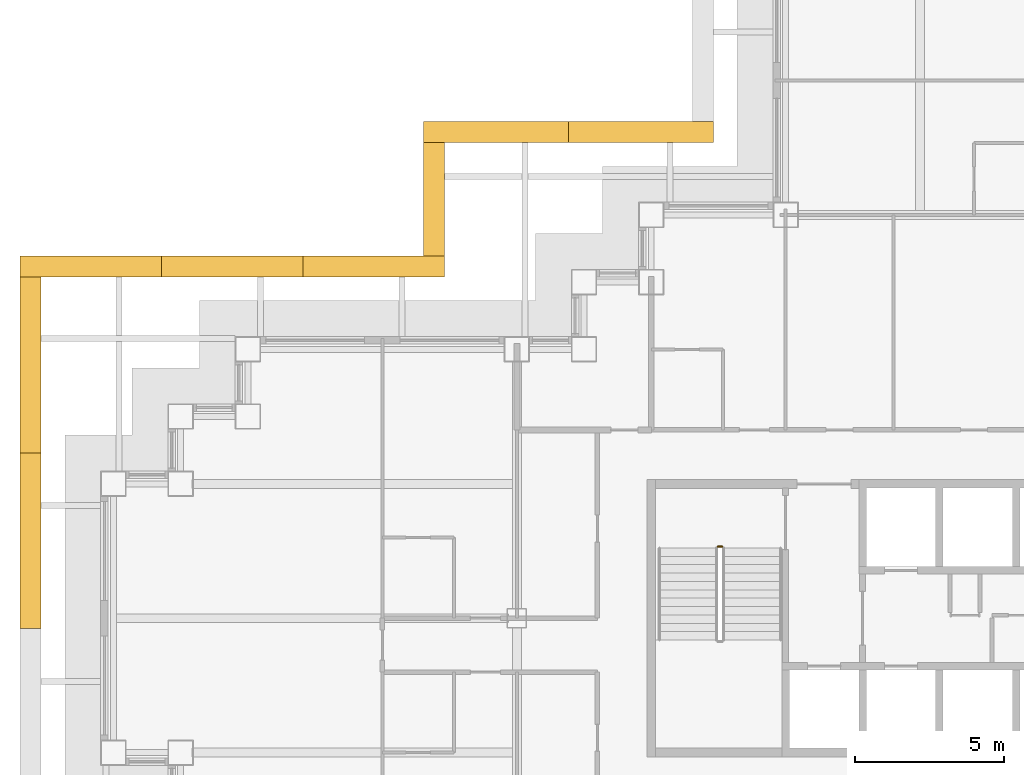
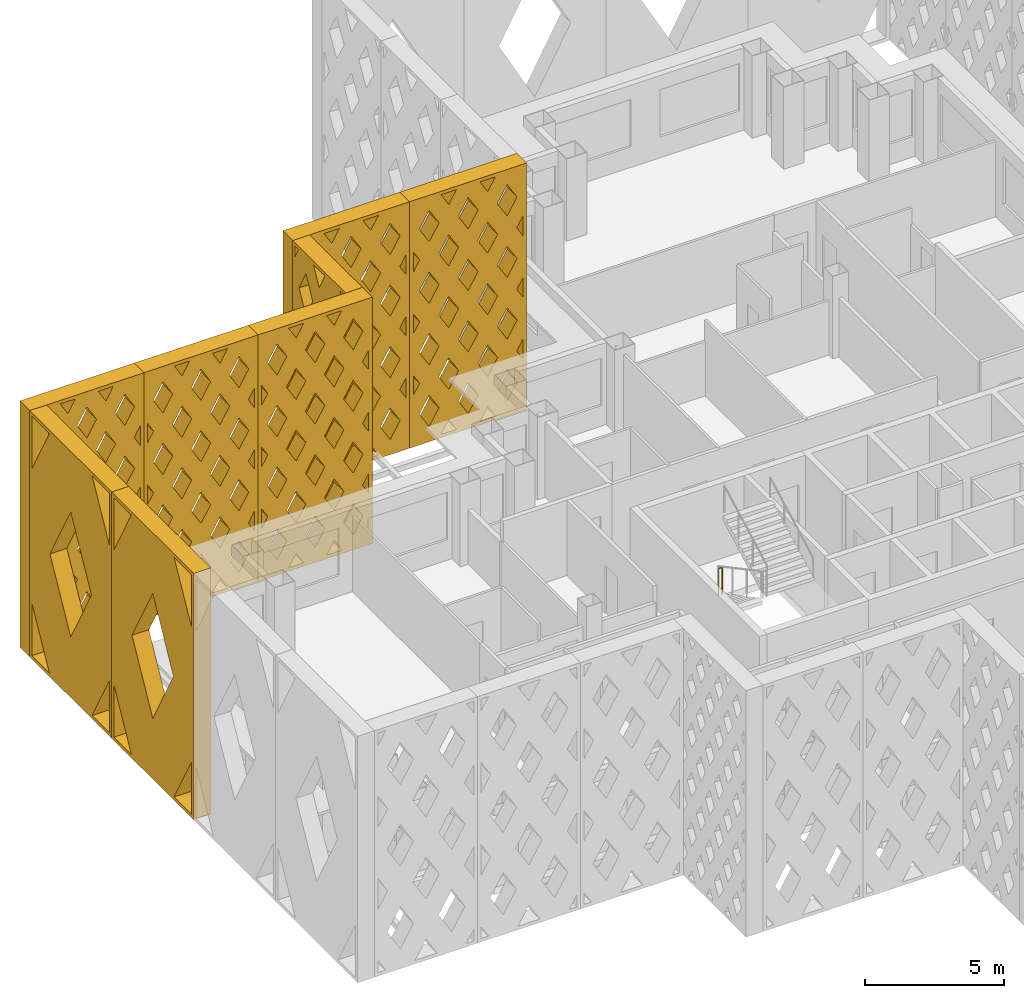
# One storey, part 19 of 21: 8 shading devices, 1 railing.
"""IFC4 building model written with IfcOpenShell, lengths in metres."""

from ifc_helpers import new_model, si_unit, direction, frame, origin, origin_2d, place, context, subcontext, project, spatial, polyline, circle, outline, extrude, material, type_object, element, save


model = new_model("IFC4")

# Units and contexts
model_context = context("Model", 3, precision=1e-05, world=origin(), true_north=direction((0.0, 1.0)))
body_context = subcontext(model_context, "Body", "Model", "MODEL_VIEW")
ifc_project = project(units=[si_unit("LENGTHUNIT", "METRE"), si_unit("AREAUNIT", "SQUARE_METRE"), si_unit("VOLUMEUNIT", "CUBIC_METRE"), si_unit("PLANEANGLEUNIT", "RADIAN"), si_unit("MASSUNIT", "GRAM", prefix="KILO")], contexts=[model_context])

# Site, building, storey
site_placement = place(None, origin())
site = spatial("IfcSite", under=ifc_project, at=site_placement, CompositionType="ELEMENT")
building_placement = place(site_placement, origin())
building = spatial("IfcBuilding", under=site, at=building_placement, Name="Caravel Reach Hotel and Residences", CompositionType="ELEMENT")
storey_placement = place(building_placement, frame((0.0, 0.0, 129.60009765625)))
storey = spatial("IfcBuildingStorey", under=building, at=storey_placement, Name="L32", CompositionType="ELEMENT", Elevation=129.60009765625)

# Shading devices
ifc_material_1 = material(Name="Black powder-coated aluminium", Category="aluminium")
shading_device_type_1 = type_object("IfcShadingDeviceType", Name="Diamond lattice screen panel 3800 x 10800", PredefinedType="USERDEFINED", material=ifc_material_1)
shading_device_1_placement = place(storey_placement, frame((11.074951171875, 42.925048828125, 0.0), z_axis=(-1.0, 0.0, 0.0), x_axis=(0.0, -1.0, 0.0)))
element("IfcShadingDevice", 1, at=shading_device_1_placement, inside=storey, type_object=shading_device_type_1, Name="Lattice screen L32-L34 15.1", ObjectType="SCREEN", PredefinedType="USERDEFINED", context=body_context, shape_type="SweptSolid", body=[
    extrude(outline(polyline([(0.0, 0.0), (3.800048828125, 0.0), (3.800048828125, 10.800048828125), (0.0, 10.800048828125), (0.0, 0.0)]), holes=[polyline([(0.41015625, 0.14990234375), (0.14990234375, 0.64306640625), (0.14990234375, 0.14990234375), (0.41015625, 0.14990234375)]), polyline([(0.489501953125, 3.60009765625), (0.14990234375, 4.2431640625), (0.14990234375, 2.956787109375), (0.489501953125, 3.60009765625)]), polyline([(0.489501953125, 7.199951171875), (0.14990234375, 7.843017578125), (0.14990234375, 6.556884765625), (0.489501953125, 7.199951171875)]), polyline([(0.14990234375, 10.156982421875), (0.41015625, 10.64990234375), (0.14990234375, 10.64990234375), (0.14990234375, 10.156982421875)]), polyline([(0.949951171875, 2.727294921875), (0.460693359375, 1.800048828125), (0.949951171875, 0.872802734375), (1.439453125, 1.800048828125), (0.949951171875, 2.727294921875)]), polyline([(0.949951171875, 6.327392578125), (0.460693359375, 5.39990234375), (0.949951171875, 4.47265625), (1.439453125, 5.39990234375), (0.949951171875, 6.327392578125)]), polyline([(0.949951171875, 9.92724609375), (0.460693359375, 9.0), (0.949951171875, 8.07275390625), (1.439453125, 9.0), (0.949951171875, 9.92724609375)]), polyline([(1.89990234375, 0.92724609375), (1.48974609375, 0.14990234375), (2.310302734375, 0.14990234375), (1.89990234375, 0.92724609375)]), polyline([(1.89990234375, 4.52734375), (1.41064453125, 3.60009765625), (1.89990234375, 2.672607421875), (2.389404296875, 3.60009765625), (1.89990234375, 4.52734375)]), polyline([(1.89990234375, 8.127197265625), (1.41064453125, 7.199951171875), (1.89990234375, 6.272705078125), (2.389404296875, 7.199951171875), (1.89990234375, 8.127197265625)]), polyline([(1.89990234375, 9.872802734375), (2.310302734375, 10.64990234375), (1.48974609375, 10.64990234375), (1.89990234375, 9.872802734375)]), polyline([(2.85009765625, 2.727294921875), (2.360595703125, 1.800048828125), (2.85009765625, 0.872802734375), (3.33935546875, 1.800048828125), (2.85009765625, 2.727294921875)]), polyline([(2.85009765625, 6.327392578125), (2.360595703125, 5.39990234375), (2.85009765625, 4.47265625), (3.33935546875, 5.39990234375), (2.85009765625, 6.327392578125)]), polyline([(2.85009765625, 9.92724609375), (2.360595703125, 9.0), (2.85009765625, 8.07275390625), (3.33935546875, 9.0), (2.85009765625, 9.92724609375)]), polyline([(3.64990234375, 0.64306640625), (3.3896484375, 0.14990234375), (3.64990234375, 0.14990234375), (3.64990234375, 0.64306640625)]), polyline([(3.310546875, 3.60009765625), (3.64990234375, 2.956787109375), (3.64990234375, 4.2431640625), (3.310546875, 3.60009765625)]), polyline([(3.310546875, 7.199951171875), (3.64990234375, 6.556884765625), (3.64990234375, 7.843017578125), (3.310546875, 7.199951171875)]), polyline([(3.3896484375, 10.64990234375), (3.64990234375, 10.156982421875), (3.64990234375, 10.64990234375), (3.3896484375, 10.64990234375)])]), origin(), (0.0, 0.0, 1.0), 0.699951171875),
])
ifc_material_2 = material(Name="Black powder-coated aluminium", Category="aluminium")
shading_device_type_2 = type_object("IfcShadingDeviceType", Name="Diamond lattice screen panel 4733 x 10800", PredefinedType="USERDEFINED", material=ifc_material_2)
shading_device_2_placement = place(storey_placement, frame((11.074951171875, 38.425048828125, 0.0), z_axis=(0.0, 1.0, 0.0), x_axis=(-1.0, 0.0, 0.0)))
element("IfcShadingDevice", 2, at=shading_device_2_placement, inside=storey, type_object=shading_device_type_2, Name="Lattice screen L32-L34 16.1", ObjectType="SCREEN", PredefinedType="USERDEFINED", context=body_context, shape_type="SweptSolid", body=[
    extrude(outline(polyline([(0.0, 0.0), (4.7333984375, 0.0), (4.7333984375, 10.800048828125), (0.0, 10.800048828125), (0.0, 0.0)]), holes=[polyline([(0.4013671875, 2.699951171875), (0.14990234375, 3.130126953125), (0.14990234375, 2.269775390625), (0.4013671875, 2.699951171875)]), polyline([(0.4013671875, 5.39990234375), (0.14990234375, 5.830078125), (0.14990234375, 4.969970703125), (0.4013671875, 5.39990234375)]), polyline([(0.4013671875, 8.10009765625), (0.14990234375, 8.530029296875), (0.14990234375, 7.669921875), (0.4013671875, 8.10009765625)]), polyline([(0.788818359375, 2.036865234375), (0.387451171875, 1.35009765625), (0.788818359375, 0.6630859375), (1.190185546875, 1.35009765625), (0.788818359375, 2.036865234375)]), polyline([(0.788818359375, 4.73681640625), (0.387451171875, 4.050048828125), (0.788818359375, 3.36328125), (1.190185546875, 4.050048828125), (0.788818359375, 4.73681640625)]), polyline([(0.788818359375, 7.436767578125), (0.387451171875, 6.75), (0.788818359375, 6.063232421875), (1.190185546875, 6.75), (0.788818359375, 7.436767578125)]), polyline([(0.788818359375, 10.13671875), (0.387451171875, 9.449951171875), (0.788818359375, 8.76318359375), (1.190185546875, 9.449951171875), (0.788818359375, 10.13671875)]), polyline([(1.577880859375, 0.686767578125), (1.26416015625, 0.14990234375), (1.8916015625, 0.14990234375), (1.577880859375, 0.686767578125)]), polyline([(1.577880859375, 3.38671875), (1.176513671875, 2.699951171875), (1.577880859375, 2.01318359375), (1.979248046875, 2.699951171875), (1.577880859375, 3.38671875)]), polyline([(1.577880859375, 6.0869140625), (1.176513671875, 5.39990234375), (1.577880859375, 4.713134765625), (1.979248046875, 5.39990234375), (1.577880859375, 6.0869140625)]), polyline([(1.577880859375, 8.786865234375), (1.176513671875, 8.10009765625), (1.577880859375, 7.4130859375), (1.979248046875, 8.10009765625), (1.577880859375, 8.786865234375)]), polyline([(1.577880859375, 10.11328125), (1.8916015625, 10.64990234375), (1.26416015625, 10.64990234375), (1.577880859375, 10.11328125)]), polyline([(2.36669921875, 2.036865234375), (1.96533203125, 1.35009765625), (2.36669921875, 0.6630859375), (2.76806640625, 1.35009765625), (2.36669921875, 2.036865234375)]), polyline([(2.36669921875, 4.73681640625), (1.96533203125, 4.050048828125), (2.36669921875, 3.36328125), (2.76806640625, 4.050048828125), (2.36669921875, 4.73681640625)]), polyline([(2.36669921875, 7.436767578125), (1.96533203125, 6.75), (2.36669921875, 6.063232421875), (2.76806640625, 6.75), (2.36669921875, 7.436767578125)]), polyline([(2.36669921875, 10.13671875), (1.96533203125, 9.449951171875), (2.36669921875, 8.76318359375), (2.76806640625, 9.449951171875), (2.36669921875, 10.13671875)]), polyline([(3.155517578125, 0.686767578125), (2.841796875, 0.14990234375), (3.46923828125, 0.14990234375), (3.155517578125, 0.686767578125)]), polyline([(3.155517578125, 3.38671875), (2.754150390625, 2.699951171875), (3.155517578125, 2.01318359375), (3.556884765625, 2.699951171875), (3.155517578125, 3.38671875)]), polyline([(3.155517578125, 6.0869140625), (2.754150390625, 5.39990234375), (3.155517578125, 4.713134765625), (3.556884765625, 5.39990234375), (3.155517578125, 6.0869140625)]), polyline([(3.155517578125, 8.786865234375), (2.754150390625, 8.10009765625), (3.155517578125, 7.4130859375), (3.556884765625, 8.10009765625), (3.155517578125, 8.786865234375)]), polyline([(3.155517578125, 10.11328125), (3.46923828125, 10.64990234375), (2.841796875, 10.64990234375), (3.155517578125, 10.11328125)]), polyline([(3.9443359375, 2.036865234375), (3.54296875, 1.35009765625), (3.9443359375, 0.6630859375), (4.345703125, 1.35009765625), (3.9443359375, 2.036865234375)]), polyline([(3.9443359375, 4.73681640625), (3.54296875, 4.050048828125), (3.9443359375, 3.36328125), (4.345703125, 4.050048828125), (3.9443359375, 4.73681640625)]), polyline([(3.9443359375, 7.436767578125), (3.54296875, 6.75), (3.9443359375, 6.063232421875), (4.345703125, 6.75), (3.9443359375, 7.436767578125)]), polyline([(3.9443359375, 10.13671875), (3.54296875, 9.449951171875), (3.9443359375, 8.76318359375), (4.345703125, 9.449951171875), (3.9443359375, 10.13671875)]), polyline([(4.33203125, 2.699951171875), (4.583251953125, 2.269775390625), (4.583251953125, 3.130126953125), (4.33203125, 2.699951171875)]), polyline([(4.33203125, 5.39990234375), (4.583251953125, 4.969970703125), (4.583251953125, 5.830078125), (4.33203125, 5.39990234375)]), polyline([(4.33203125, 8.10009765625), (4.583251953125, 7.669921875), (4.583251953125, 8.530029296875), (4.33203125, 8.10009765625)])]), origin(), (0.0, 0.0, 1.0), 0.699951171875),
])
shading_device_3_placement = place(storey_placement, frame((6.341552734375, 38.425048828125, 0.0), z_axis=(0.0, 1.0, 0.0), x_axis=(-1.0, 0.0, 0.0)))
element("IfcShadingDevice", 3, at=shading_device_3_placement, inside=storey, type_object=shading_device_type_2, Name="Lattice screen L32-L34 16.2", ObjectType="SCREEN", PredefinedType="USERDEFINED", context=body_context, shape_type="SweptSolid", body=[
    extrude(outline(polyline([(0.0, 0.0), (4.7333984375, 0.0), (4.7333984375, 10.800048828125), (0.0, 10.800048828125), (0.0, 0.0)]), holes=[polyline([(0.4013671875, 2.699951171875), (0.14990234375, 3.130126953125), (0.14990234375, 2.269775390625), (0.4013671875, 2.699951171875)]), polyline([(0.4013671875, 5.39990234375), (0.14990234375, 5.830078125), (0.14990234375, 4.969970703125), (0.4013671875, 5.39990234375)]), polyline([(0.4013671875, 8.10009765625), (0.14990234375, 8.530029296875), (0.14990234375, 7.669921875), (0.4013671875, 8.10009765625)]), polyline([(0.788818359375, 2.036865234375), (0.387451171875, 1.35009765625), (0.788818359375, 0.6630859375), (1.190185546875, 1.35009765625), (0.788818359375, 2.036865234375)]), polyline([(0.788818359375, 4.73681640625), (0.387451171875, 4.050048828125), (0.788818359375, 3.36328125), (1.190185546875, 4.050048828125), (0.788818359375, 4.73681640625)]), polyline([(0.788818359375, 7.436767578125), (0.387451171875, 6.75), (0.788818359375, 6.063232421875), (1.190185546875, 6.75), (0.788818359375, 7.436767578125)]), polyline([(0.788818359375, 10.13671875), (0.387451171875, 9.449951171875), (0.788818359375, 8.76318359375), (1.190185546875, 9.449951171875), (0.788818359375, 10.13671875)]), polyline([(1.577880859375, 0.686767578125), (1.26416015625, 0.14990234375), (1.8916015625, 0.14990234375), (1.577880859375, 0.686767578125)]), polyline([(1.577880859375, 3.38671875), (1.176513671875, 2.699951171875), (1.577880859375, 2.01318359375), (1.979248046875, 2.699951171875), (1.577880859375, 3.38671875)]), polyline([(1.577880859375, 6.0869140625), (1.176513671875, 5.39990234375), (1.577880859375, 4.713134765625), (1.979248046875, 5.39990234375), (1.577880859375, 6.0869140625)]), polyline([(1.577880859375, 8.786865234375), (1.176513671875, 8.10009765625), (1.577880859375, 7.4130859375), (1.979248046875, 8.10009765625), (1.577880859375, 8.786865234375)]), polyline([(1.577880859375, 10.11328125), (1.8916015625, 10.64990234375), (1.26416015625, 10.64990234375), (1.577880859375, 10.11328125)]), polyline([(2.36669921875, 2.036865234375), (1.96533203125, 1.35009765625), (2.36669921875, 0.6630859375), (2.76806640625, 1.35009765625), (2.36669921875, 2.036865234375)]), polyline([(2.36669921875, 4.73681640625), (1.96533203125, 4.050048828125), (2.36669921875, 3.36328125), (2.76806640625, 4.050048828125), (2.36669921875, 4.73681640625)]), polyline([(2.36669921875, 7.436767578125), (1.96533203125, 6.75), (2.36669921875, 6.063232421875), (2.76806640625, 6.75), (2.36669921875, 7.436767578125)]), polyline([(2.36669921875, 10.13671875), (1.96533203125, 9.449951171875), (2.36669921875, 8.76318359375), (2.76806640625, 9.449951171875), (2.36669921875, 10.13671875)]), polyline([(3.155517578125, 0.686767578125), (2.841796875, 0.14990234375), (3.46923828125, 0.14990234375), (3.155517578125, 0.686767578125)]), polyline([(3.155517578125, 3.38671875), (2.754150390625, 2.699951171875), (3.155517578125, 2.01318359375), (3.556884765625, 2.699951171875), (3.155517578125, 3.38671875)]), polyline([(3.155517578125, 6.0869140625), (2.754150390625, 5.39990234375), (3.155517578125, 4.713134765625), (3.556884765625, 5.39990234375), (3.155517578125, 6.0869140625)]), polyline([(3.155517578125, 8.786865234375), (2.754150390625, 8.10009765625), (3.155517578125, 7.4130859375), (3.556884765625, 8.10009765625), (3.155517578125, 8.786865234375)]), polyline([(3.155517578125, 10.11328125), (3.46923828125, 10.64990234375), (2.841796875, 10.64990234375), (3.155517578125, 10.11328125)]), polyline([(3.9443359375, 2.036865234375), (3.54296875, 1.35009765625), (3.9443359375, 0.6630859375), (4.345703125, 1.35009765625), (3.9443359375, 2.036865234375)]), polyline([(3.9443359375, 4.73681640625), (3.54296875, 4.050048828125), (3.9443359375, 3.36328125), (4.345703125, 4.050048828125), (3.9443359375, 4.73681640625)]), polyline([(3.9443359375, 7.436767578125), (3.54296875, 6.75), (3.9443359375, 6.063232421875), (4.345703125, 6.75), (3.9443359375, 7.436767578125)]), polyline([(3.9443359375, 10.13671875), (3.54296875, 9.449951171875), (3.9443359375, 8.76318359375), (4.345703125, 9.449951171875), (3.9443359375, 10.13671875)]), polyline([(4.33203125, 2.699951171875), (4.583251953125, 2.269775390625), (4.583251953125, 3.130126953125), (4.33203125, 2.699951171875)]), polyline([(4.33203125, 5.39990234375), (4.583251953125, 4.969970703125), (4.583251953125, 5.830078125), (4.33203125, 5.39990234375)]), polyline([(4.33203125, 8.10009765625), (4.583251953125, 7.669921875), (4.583251953125, 8.530029296875), (4.33203125, 8.10009765625)])]), origin(), (0.0, 0.0, 1.0), 0.699951171875),
])
shading_device_4_placement = place(storey_placement, frame((1.6083984375, 38.425048828125, 0.0), z_axis=(0.0, 1.0, 0.0), x_axis=(-1.0, 0.0, 0.0)))
element("IfcShadingDevice", 4, at=shading_device_4_placement, inside=storey, type_object=shading_device_type_2, Name="Lattice screen L32-L34 16.3", ObjectType="SCREEN", PredefinedType="USERDEFINED", context=body_context, shape_type="SweptSolid", body=[
    extrude(outline(polyline([(0.0, 0.0), (4.7333984375, 0.0), (4.7333984375, 10.800048828125), (0.0, 10.800048828125), (0.0, 0.0)]), holes=[polyline([(0.4013671875, 2.699951171875), (0.14990234375, 3.130126953125), (0.14990234375, 2.269775390625), (0.4013671875, 2.699951171875)]), polyline([(0.4013671875, 5.39990234375), (0.14990234375, 5.830078125), (0.14990234375, 4.969970703125), (0.4013671875, 5.39990234375)]), polyline([(0.4013671875, 8.10009765625), (0.14990234375, 8.530029296875), (0.14990234375, 7.669921875), (0.4013671875, 8.10009765625)]), polyline([(0.788818359375, 2.036865234375), (0.387451171875, 1.35009765625), (0.788818359375, 0.6630859375), (1.190185546875, 1.35009765625), (0.788818359375, 2.036865234375)]), polyline([(0.788818359375, 4.73681640625), (0.387451171875, 4.050048828125), (0.788818359375, 3.36328125), (1.190185546875, 4.050048828125), (0.788818359375, 4.73681640625)]), polyline([(0.788818359375, 7.436767578125), (0.387451171875, 6.75), (0.788818359375, 6.063232421875), (1.190185546875, 6.75), (0.788818359375, 7.436767578125)]), polyline([(0.788818359375, 10.13671875), (0.387451171875, 9.449951171875), (0.788818359375, 8.76318359375), (1.190185546875, 9.449951171875), (0.788818359375, 10.13671875)]), polyline([(1.577880859375, 0.686767578125), (1.26416015625, 0.14990234375), (1.8916015625, 0.14990234375), (1.577880859375, 0.686767578125)]), polyline([(1.577880859375, 3.38671875), (1.176513671875, 2.699951171875), (1.577880859375, 2.01318359375), (1.979248046875, 2.699951171875), (1.577880859375, 3.38671875)]), polyline([(1.577880859375, 6.0869140625), (1.176513671875, 5.39990234375), (1.577880859375, 4.713134765625), (1.979248046875, 5.39990234375), (1.577880859375, 6.0869140625)]), polyline([(1.577880859375, 8.786865234375), (1.176513671875, 8.10009765625), (1.577880859375, 7.4130859375), (1.979248046875, 8.10009765625), (1.577880859375, 8.786865234375)]), polyline([(1.577880859375, 10.11328125), (1.8916015625, 10.64990234375), (1.26416015625, 10.64990234375), (1.577880859375, 10.11328125)]), polyline([(2.36669921875, 2.036865234375), (1.96533203125, 1.35009765625), (2.36669921875, 0.6630859375), (2.76806640625, 1.35009765625), (2.36669921875, 2.036865234375)]), polyline([(2.36669921875, 4.73681640625), (1.96533203125, 4.050048828125), (2.36669921875, 3.36328125), (2.76806640625, 4.050048828125), (2.36669921875, 4.73681640625)]), polyline([(2.36669921875, 7.436767578125), (1.96533203125, 6.75), (2.36669921875, 6.063232421875), (2.76806640625, 6.75), (2.36669921875, 7.436767578125)]), polyline([(2.36669921875, 10.13671875), (1.96533203125, 9.449951171875), (2.36669921875, 8.76318359375), (2.76806640625, 9.449951171875), (2.36669921875, 10.13671875)]), polyline([(3.155517578125, 0.686767578125), (2.841796875, 0.14990234375), (3.46923828125, 0.14990234375), (3.155517578125, 0.686767578125)]), polyline([(3.155517578125, 3.38671875), (2.754150390625, 2.699951171875), (3.155517578125, 2.01318359375), (3.556884765625, 2.699951171875), (3.155517578125, 3.38671875)]), polyline([(3.155517578125, 6.0869140625), (2.754150390625, 5.39990234375), (3.155517578125, 4.713134765625), (3.556884765625, 5.39990234375), (3.155517578125, 6.0869140625)]), polyline([(3.155517578125, 8.786865234375), (2.754150390625, 8.10009765625), (3.155517578125, 7.4130859375), (3.556884765625, 8.10009765625), (3.155517578125, 8.786865234375)]), polyline([(3.155517578125, 10.11328125), (3.46923828125, 10.64990234375), (2.841796875, 10.64990234375), (3.155517578125, 10.11328125)]), polyline([(3.9443359375, 2.036865234375), (3.54296875, 1.35009765625), (3.9443359375, 0.6630859375), (4.345703125, 1.35009765625), (3.9443359375, 2.036865234375)]), polyline([(3.9443359375, 4.73681640625), (3.54296875, 4.050048828125), (3.9443359375, 3.36328125), (4.345703125, 4.050048828125), (3.9443359375, 4.73681640625)]), polyline([(3.9443359375, 7.436767578125), (3.54296875, 6.75), (3.9443359375, 6.063232421875), (4.345703125, 6.75), (3.9443359375, 7.436767578125)]), polyline([(3.9443359375, 10.13671875), (3.54296875, 9.449951171875), (3.9443359375, 8.76318359375), (4.345703125, 9.449951171875), (3.9443359375, 10.13671875)]), polyline([(4.33203125, 2.699951171875), (4.583251953125, 2.269775390625), (4.583251953125, 3.130126953125), (4.33203125, 2.699951171875)]), polyline([(4.33203125, 5.39990234375), (4.583251953125, 4.969970703125), (4.583251953125, 5.830078125), (4.33203125, 5.39990234375)]), polyline([(4.33203125, 8.10009765625), (4.583251953125, 7.669921875), (4.583251953125, 8.530029296875), (4.33203125, 8.10009765625)])]), origin(), (0.0, 0.0, 1.0), 0.699951171875),
])
ifc_material_3 = material(Name="Black powder-coated aluminium", Category="aluminium")
shading_device_type_3 = type_object("IfcShadingDeviceType", Name="Diamond lattice screen panel 4850 x 10800", PredefinedType="USERDEFINED", material=ifc_material_3)
shading_device_5_placement = place(storey_placement, frame((20.074951171875, 42.925048828125, 0.0), z_axis=(0.0, 1.0, 0.0), x_axis=(-1.0, 0.0, 0.0)))
element("IfcShadingDevice", 5, at=shading_device_5_placement, inside=storey, type_object=shading_device_type_3, Name="Lattice screen L32-L34 14.1", ObjectType="SCREEN", PredefinedType="USERDEFINED", context=body_context, shape_type="SweptSolid", body=[
    extrude(outline(polyline([(0.0, 0.0), (4.85009765625, 0.0), (4.85009765625, 10.800048828125), (0.0, 10.800048828125), (0.0, 0.0)]), holes=[polyline([(0.410888671875, 2.699951171875), (0.14990234375, 3.1357421875), (0.14990234375, 2.26416015625), (0.410888671875, 2.699951171875)]), polyline([(0.410888671875, 5.39990234375), (0.14990234375, 5.835693359375), (0.14990234375, 4.964111328125), (0.410888671875, 5.39990234375)]), polyline([(0.410888671875, 8.10009765625), (0.14990234375, 8.535888671875), (0.14990234375, 7.664306640625), (0.410888671875, 8.10009765625)]), polyline([(0.808349609375, 2.036376953125), (0.3974609375, 1.35009765625), (0.808349609375, 0.663818359375), (1.21923828125, 1.35009765625), (0.808349609375, 2.036376953125)]), polyline([(0.808349609375, 4.736328125), (0.3974609375, 4.050048828125), (0.808349609375, 3.36376953125), (1.21923828125, 4.050048828125), (0.808349609375, 4.736328125)]), polyline([(0.808349609375, 7.436279296875), (0.3974609375, 6.75), (0.808349609375, 6.063720703125), (1.21923828125, 6.75), (0.808349609375, 7.436279296875)]), polyline([(0.808349609375, 10.13623046875), (0.3974609375, 9.449951171875), (0.808349609375, 8.763671875), (1.21923828125, 9.449951171875), (0.808349609375, 10.13623046875)]), polyline([(1.61669921875, 0.686279296875), (1.295654296875, 0.14990234375), (1.937744140625, 0.14990234375), (1.61669921875, 0.686279296875)]), polyline([(1.61669921875, 3.38623046875), (1.205810546875, 2.699951171875), (1.61669921875, 2.013671875), (2.027587890625, 2.699951171875), (1.61669921875, 3.38623046875)]), polyline([(1.61669921875, 6.086181640625), (1.205810546875, 5.39990234375), (1.61669921875, 4.713623046875), (2.027587890625, 5.39990234375), (1.61669921875, 6.086181640625)]), polyline([(1.61669921875, 8.786376953125), (1.205810546875, 8.10009765625), (1.61669921875, 7.413818359375), (2.027587890625, 8.10009765625), (1.61669921875, 8.786376953125)]), polyline([(1.61669921875, 10.11376953125), (1.937744140625, 10.64990234375), (1.295654296875, 10.64990234375), (1.61669921875, 10.11376953125)]), polyline([(2.425048828125, 2.036376953125), (2.01416015625, 1.35009765625), (2.425048828125, 0.663818359375), (2.8359375, 1.35009765625), (2.425048828125, 2.036376953125)]), polyline([(2.425048828125, 4.736328125), (2.01416015625, 4.050048828125), (2.425048828125, 3.36376953125), (2.8359375, 4.050048828125), (2.425048828125, 4.736328125)]), polyline([(2.425048828125, 7.436279296875), (2.01416015625, 6.75), (2.425048828125, 6.063720703125), (2.8359375, 6.75), (2.425048828125, 7.436279296875)]), polyline([(2.425048828125, 10.13623046875), (2.01416015625, 9.449951171875), (2.425048828125, 8.763671875), (2.8359375, 9.449951171875), (2.425048828125, 10.13623046875)]), polyline([(3.2333984375, 0.686279296875), (2.912109375, 0.14990234375), (3.554443359375, 0.14990234375), (3.2333984375, 0.686279296875)]), polyline([(3.2333984375, 3.38623046875), (2.822509765625, 2.699951171875), (3.2333984375, 2.013671875), (3.644287109375, 2.699951171875), (3.2333984375, 3.38623046875)]), polyline([(3.2333984375, 6.086181640625), (2.822509765625, 5.39990234375), (3.2333984375, 4.713623046875), (3.644287109375, 5.39990234375), (3.2333984375, 6.086181640625)]), polyline([(3.2333984375, 8.786376953125), (2.822509765625, 8.10009765625), (3.2333984375, 7.413818359375), (3.644287109375, 8.10009765625), (3.2333984375, 8.786376953125)]), polyline([(3.2333984375, 10.11376953125), (3.554443359375, 10.64990234375), (2.912109375, 10.64990234375), (3.2333984375, 10.11376953125)]), polyline([(4.041748046875, 2.036376953125), (3.630859375, 1.35009765625), (4.041748046875, 0.663818359375), (4.45263671875, 1.35009765625), (4.041748046875, 2.036376953125)]), polyline([(4.041748046875, 4.736328125), (3.630859375, 4.050048828125), (4.041748046875, 3.36376953125), (4.45263671875, 4.050048828125), (4.041748046875, 4.736328125)]), polyline([(4.041748046875, 7.436279296875), (3.630859375, 6.75), (4.041748046875, 6.063720703125), (4.45263671875, 6.75), (4.041748046875, 7.436279296875)]), polyline([(4.041748046875, 10.13623046875), (3.630859375, 9.449951171875), (4.041748046875, 8.763671875), (4.45263671875, 9.449951171875), (4.041748046875, 10.13623046875)]), polyline([(4.43896484375, 2.699951171875), (4.699951171875, 2.26416015625), (4.699951171875, 3.1357421875), (4.43896484375, 2.699951171875)]), polyline([(4.43896484375, 5.39990234375), (4.699951171875, 4.964111328125), (4.699951171875, 5.835693359375), (4.43896484375, 5.39990234375)]), polyline([(4.43896484375, 8.10009765625), (4.699951171875, 7.664306640625), (4.699951171875, 8.535888671875), (4.43896484375, 8.10009765625)])]), origin(), (0.0, 0.0, 1.0), 0.699951171875),
])
shading_device_6_placement = place(storey_placement, frame((15.22509765625, 42.925048828125, 0.0), z_axis=(0.0, 1.0, 0.0), x_axis=(-1.0, 0.0, 0.0)))
element("IfcShadingDevice", 6, at=shading_device_6_placement, inside=storey, type_object=shading_device_type_3, Name="Lattice screen L32-L34 14.2", ObjectType="SCREEN", PredefinedType="USERDEFINED", context=body_context, shape_type="SweptSolid", body=[
    extrude(outline(polyline([(0.0, 0.0), (4.85009765625, 0.0), (4.85009765625, 10.800048828125), (0.0, 10.800048828125), (0.0, 0.0)]), holes=[polyline([(0.410888671875, 2.699951171875), (0.14990234375, 3.1357421875), (0.14990234375, 2.26416015625), (0.410888671875, 2.699951171875)]), polyline([(0.410888671875, 5.39990234375), (0.14990234375, 5.835693359375), (0.14990234375, 4.964111328125), (0.410888671875, 5.39990234375)]), polyline([(0.410888671875, 8.10009765625), (0.14990234375, 8.535888671875), (0.14990234375, 7.664306640625), (0.410888671875, 8.10009765625)]), polyline([(0.808349609375, 2.036376953125), (0.3974609375, 1.35009765625), (0.808349609375, 0.663818359375), (1.21923828125, 1.35009765625), (0.808349609375, 2.036376953125)]), polyline([(0.808349609375, 4.736328125), (0.3974609375, 4.050048828125), (0.808349609375, 3.36376953125), (1.21923828125, 4.050048828125), (0.808349609375, 4.736328125)]), polyline([(0.808349609375, 7.436279296875), (0.3974609375, 6.75), (0.808349609375, 6.063720703125), (1.21923828125, 6.75), (0.808349609375, 7.436279296875)]), polyline([(0.808349609375, 10.13623046875), (0.3974609375, 9.449951171875), (0.808349609375, 8.763671875), (1.21923828125, 9.449951171875), (0.808349609375, 10.13623046875)]), polyline([(1.61669921875, 0.686279296875), (1.295654296875, 0.14990234375), (1.937744140625, 0.14990234375), (1.61669921875, 0.686279296875)]), polyline([(1.61669921875, 3.38623046875), (1.205810546875, 2.699951171875), (1.61669921875, 2.013671875), (2.027587890625, 2.699951171875), (1.61669921875, 3.38623046875)]), polyline([(1.61669921875, 6.086181640625), (1.205810546875, 5.39990234375), (1.61669921875, 4.713623046875), (2.027587890625, 5.39990234375), (1.61669921875, 6.086181640625)]), polyline([(1.61669921875, 8.786376953125), (1.205810546875, 8.10009765625), (1.61669921875, 7.413818359375), (2.027587890625, 8.10009765625), (1.61669921875, 8.786376953125)]), polyline([(1.61669921875, 10.11376953125), (1.937744140625, 10.64990234375), (1.295654296875, 10.64990234375), (1.61669921875, 10.11376953125)]), polyline([(2.425048828125, 2.036376953125), (2.01416015625, 1.35009765625), (2.425048828125, 0.663818359375), (2.8359375, 1.35009765625), (2.425048828125, 2.036376953125)]), polyline([(2.425048828125, 4.736328125), (2.01416015625, 4.050048828125), (2.425048828125, 3.36376953125), (2.8359375, 4.050048828125), (2.425048828125, 4.736328125)]), polyline([(2.425048828125, 7.436279296875), (2.01416015625, 6.75), (2.425048828125, 6.063720703125), (2.8359375, 6.75), (2.425048828125, 7.436279296875)]), polyline([(2.425048828125, 10.13623046875), (2.01416015625, 9.449951171875), (2.425048828125, 8.763671875), (2.8359375, 9.449951171875), (2.425048828125, 10.13623046875)]), polyline([(3.2333984375, 0.686279296875), (2.912109375, 0.14990234375), (3.554443359375, 0.14990234375), (3.2333984375, 0.686279296875)]), polyline([(3.2333984375, 3.38623046875), (2.822509765625, 2.699951171875), (3.2333984375, 2.013671875), (3.644287109375, 2.699951171875), (3.2333984375, 3.38623046875)]), polyline([(3.2333984375, 6.086181640625), (2.822509765625, 5.39990234375), (3.2333984375, 4.713623046875), (3.644287109375, 5.39990234375), (3.2333984375, 6.086181640625)]), polyline([(3.2333984375, 8.786376953125), (2.822509765625, 8.10009765625), (3.2333984375, 7.413818359375), (3.644287109375, 8.10009765625), (3.2333984375, 8.786376953125)]), polyline([(3.2333984375, 10.11376953125), (3.554443359375, 10.64990234375), (2.912109375, 10.64990234375), (3.2333984375, 10.11376953125)]), polyline([(4.041748046875, 2.036376953125), (3.630859375, 1.35009765625), (4.041748046875, 0.663818359375), (4.45263671875, 1.35009765625), (4.041748046875, 2.036376953125)]), polyline([(4.041748046875, 4.736328125), (3.630859375, 4.050048828125), (4.041748046875, 3.36376953125), (4.45263671875, 4.050048828125), (4.041748046875, 4.736328125)]), polyline([(4.041748046875, 7.436279296875), (3.630859375, 6.75), (4.041748046875, 6.063720703125), (4.45263671875, 6.75), (4.041748046875, 7.436279296875)]), polyline([(4.041748046875, 10.13623046875), (3.630859375, 9.449951171875), (4.041748046875, 8.763671875), (4.45263671875, 9.449951171875), (4.041748046875, 10.13623046875)]), polyline([(4.43896484375, 2.699951171875), (4.699951171875, 2.26416015625), (4.699951171875, 3.1357421875), (4.43896484375, 2.699951171875)]), polyline([(4.43896484375, 5.39990234375), (4.699951171875, 4.964111328125), (4.699951171875, 5.835693359375), (4.43896484375, 5.39990234375)]), polyline([(4.43896484375, 8.10009765625), (4.699951171875, 7.664306640625), (4.699951171875, 8.535888671875), (4.43896484375, 8.10009765625)])]), origin(), (0.0, 0.0, 1.0), 0.699951171875),
])
ifc_material_4 = material(Name="Black powder-coated aluminium", Category="aluminium")
shading_device_type_4 = type_object("IfcShadingDeviceType", Name="Diamond lattice screen panel 5887 x 10800", PredefinedType="USERDEFINED", material=ifc_material_4)
for number, where, z_axis, x_axis, name in (
    (7, (-2.425048828125, 38.425048828125, 0.0), (-1.0, 0.0, 0.0), (0.0, -1.0, 0.0), "Lattice screen L32-L34 17.1"),
    (8, (-2.425048828125, 32.53759765625, 0.0), (-1.0, 0.0, 0.0), (0.0, -1.0, 0.0), "Lattice screen L32-L34 17.2"),
):
    element("IfcShadingDevice", number, at=place(storey_placement, frame(where, z_axis=z_axis, x_axis=x_axis)), inside=storey, type_object=shading_device_type_4, Name=name, ObjectType="SCREEN", PredefinedType="USERDEFINED", context=body_context, shape_type="SweptSolid", body=[
        extrude(outline(polyline([(0.0, 0.0), (5.887451171875, 0.0), (5.887451171875, 10.800048828125), (0.0, 10.800048828125), (0.0, 0.0)]), holes=[polyline([(1.409912109375, 0.14990234375), (0.14990234375, 2.46142578125), (0.14990234375, 0.14990234375), (1.409912109375, 0.14990234375)]), polyline([(0.14990234375, 8.338623046875), (1.409912109375, 10.64990234375), (0.14990234375, 10.64990234375), (0.14990234375, 8.338623046875)]), polyline([(2.94384765625, 8.136474609375), (1.451904296875, 5.39990234375), (2.94384765625, 2.66357421875), (4.435546875, 5.39990234375), (2.94384765625, 8.136474609375)]), polyline([(5.737548828125, 2.46142578125), (4.4775390625, 0.14990234375), (5.737548828125, 0.14990234375), (5.737548828125, 2.46142578125)]), polyline([(4.4775390625, 10.64990234375), (5.737548828125, 8.338623046875), (5.737548828125, 10.64990234375), (4.4775390625, 10.64990234375)])]), origin(), (0.0, 0.0, 1.0), 0.699951171875),
    ])

# Railing
ifc_material_5 = material(Name="Steel balustrade with glass infill", Category="steel")
railing_type = type_object("IfcRailingType", Name="Guard 1200", PredefinedType="GUARDRAIL", material=ifc_material_5)
railing_placement = place(storey_placement, frame((20.22509765625, 29.39990234375, 0.0)))
element("IfcRailing", 9, at=railing_placement, inside=storey, type_object=railing_type, Name="L32 ST-A stair guard 4", PredefinedType="GUARDRAIL", context=body_context, shape_type="SweptSolid", body=[
    extrude(circle(Radius=0.02392578125, at=origin_2d()), frame((0.0, 0.0, 1.17578125), z_axis=(1.0, 0.0, 0.0), x_axis=(0.0, 1.0, 0.0)), (0.0, 0.0, 1.0), 0.14990234375),
    extrude(circle(Radius=0.02099609375, at=origin_2d()), origin(), (0.0, 0.0, 1.0), 1.15185546875),
    extrude(circle(Radius=0.02099609375, at=origin_2d()), frame((0.14990234375, 0.0, 0.0)), (0.0, 0.0, 1.0), 1.15185546875),
])

save(model, "model.ifc")
